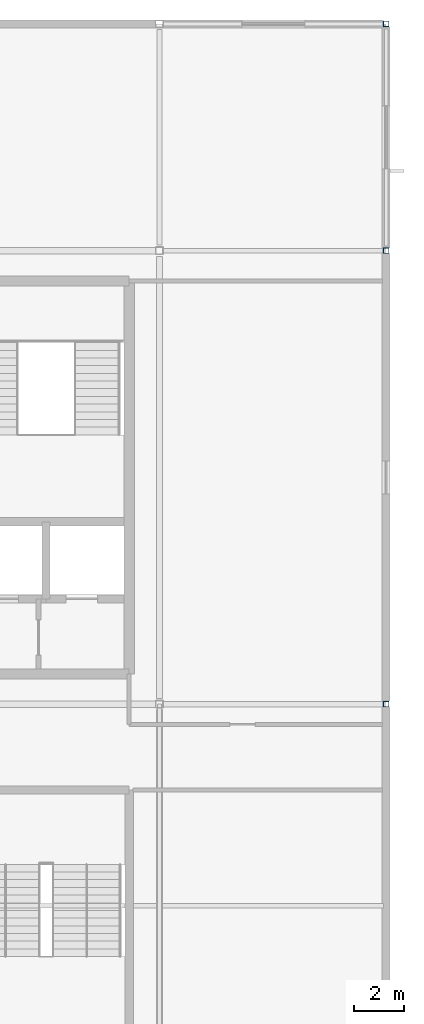
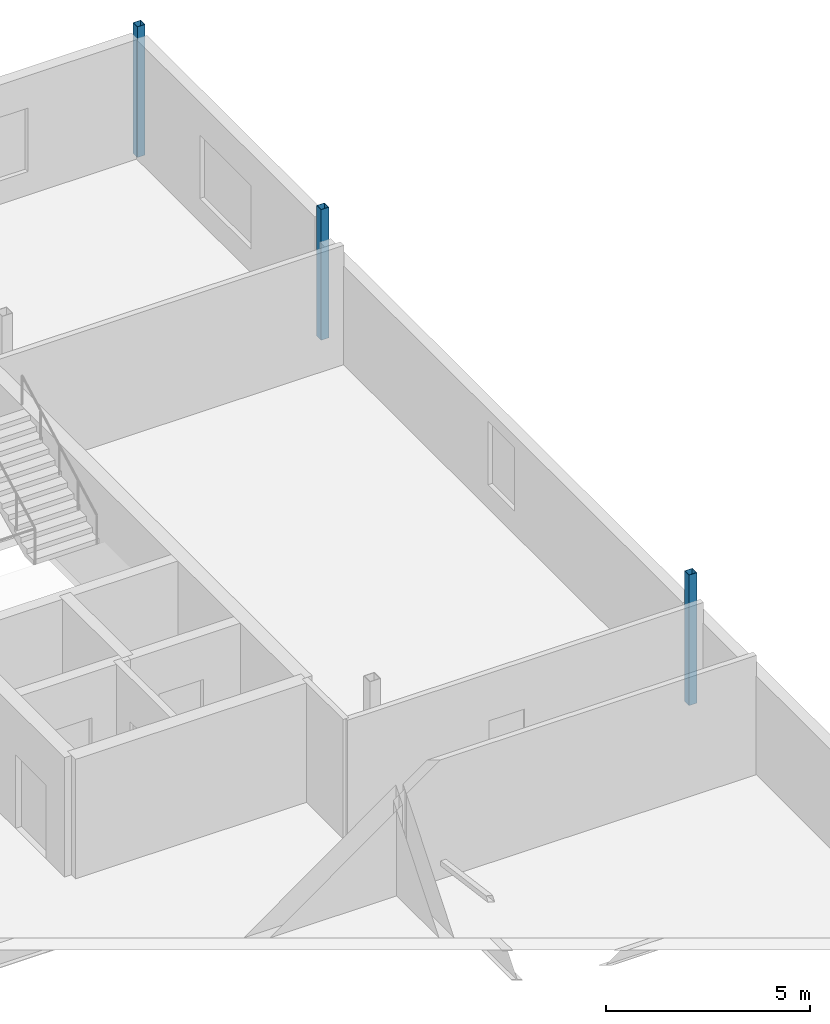
# One storey, part 18 of 55: 3 columns.
"""IFC4 building model written with IfcOpenShell, lengths in metres."""

from ifc_helpers import new_model, si_unit, direction, frame, origin, origin_2d, place, context, subcontext, project, spatial, hollow_rectangle, extrude, material, material_profile, profile_set, type_object, element, save


model = new_model("IFC4")

# Units and contexts
model_context = context("Model", 3, precision=1e-05, world=origin(), true_north=direction((0.0, 1.0)))
body_context = subcontext(model_context, "Body", "Model", "MODEL_VIEW")
ifc_project = project(units=[si_unit("LENGTHUNIT", "METRE"), si_unit("AREAUNIT", "SQUARE_METRE"), si_unit("VOLUMEUNIT", "CUBIC_METRE"), si_unit("PLANEANGLEUNIT", "RADIAN"), si_unit("MASSUNIT", "GRAM", prefix="KILO")], contexts=[model_context])

# Site, building, storey
site_placement = place(None, origin())
site = spatial("IfcSite", under=ifc_project, at=site_placement, CompositionType="ELEMENT")
building_placement = place(site_placement, origin())
building = spatial("IfcBuilding", under=site, at=building_placement, Name="Kisiwana Market Hall", CompositionType="ELEMENT")
storey_placement = place(building_placement, frame((0.0, 0.0, 37.800048828125)))
storey = spatial("IfcBuildingStorey", under=building, at=storey_placement, Name="L08", CompositionType="ELEMENT", Elevation=37.800048828125)

# Columns
ifc_material = material(Name="Steel S355", Category="steel")
ifc_material_profile = material_profile(ifc_material, hollow_rectangle(XDim=0.219970703125, YDim=0.219970703125, WallThickness=0.010009765625, at=origin_2d()), Name="SHS 220x220x10")
ifc_profile_set = profile_set([ifc_material_profile], Name="Steel S355")
column_type = type_object("IfcColumnType", Name="COL-STL-SHS220", PredefinedType="COLUMN", material=ifc_profile_set)
for number, where, z_axis, x_axis, name in (
    (1, (198.0, 84.0, 0.0), (0.0, 0.0, 1.0), (1.0, 0.0, 0.0), "Column L/23 (L08) C-1203"),
    (2, (198.0, 102.0, 0.0), (0.0, 0.0, 1.0), (1.0, 0.0, 0.0), "Column N/23 (L08) C-1204"),
    (3, (198.0, 111.0, 0.0), (0.0, 0.0, 1.0), (1.0, 0.0, 0.0), "Column P/23 (L08) C-1205"),
):
    element("IfcColumn", number, at=place(storey_placement, frame(where, z_axis=z_axis, x_axis=x_axis)), inside=storey, type_object=column_type, Name=name, PredefinedType="COLUMN", context=body_context, shape_type="SweptSolid", body=[
        extrude(hollow_rectangle(XDim=0.219970703125, YDim=0.219970703125, WallThickness=0.010009765625, at=origin_2d()), origin(), (0.0, 0.0, 1.0), 3.89990234375),
    ])

save(model, "model.ifc")
